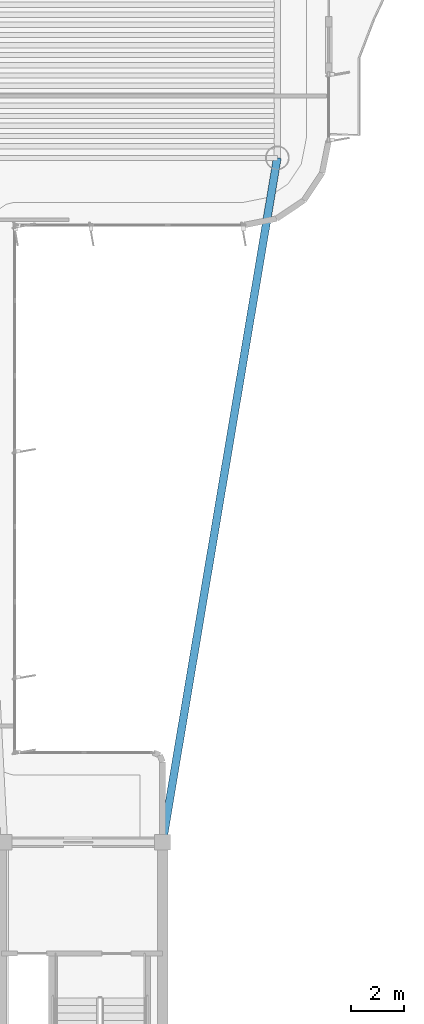
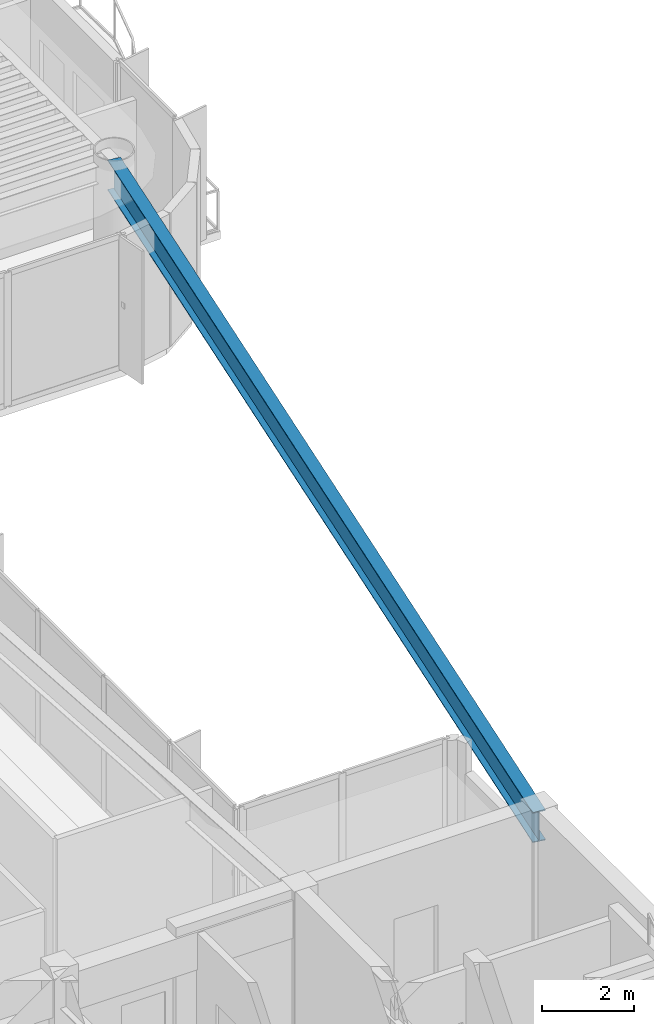
# One storey, part 4 of 15: 1 beam.
"""IFC4 building model written with IfcOpenShell, lengths in metres."""

from ifc_helpers import new_model, si_unit, direction, frame, origin, origin_2d, place, context, subcontext, project, spatial, i_section, extrude, source, transform, mapped, material, material_profile, profile_set, type_object, element, save


model = new_model("IFC4")

# Units and contexts
model_context = context("Model", 3, precision=1e-05, world=origin(), true_north=direction((0.0, 1.0)))
body_context = subcontext(model_context, "Body", "Model", "MODEL_VIEW")
ifc_project = project(units=[si_unit("LENGTHUNIT", "METRE"), si_unit("AREAUNIT", "SQUARE_METRE"), si_unit("VOLUMEUNIT", "CUBIC_METRE"), si_unit("PLANEANGLEUNIT", "RADIAN"), si_unit("MASSUNIT", "GRAM", prefix="KILO")], contexts=[model_context])

# Site, building, storey
site_placement = place(None, origin())
site = spatial("IfcSite", under=ifc_project, at=site_placement, CompositionType="ELEMENT")
building_placement = place(site_placement, origin())
building = spatial("IfcBuilding", under=site, at=building_placement, Name="Brelvock Crest Care Tower", CompositionType="ELEMENT")
storey_placement = place(building_placement, frame((0.0, 0.0, 264.60009765625)))
storey = spatial("IfcBuildingStorey", under=building, at=storey_placement, Name="L67", CompositionType="ELEMENT", Elevation=264.60009765625)

# Beam
ifc_material = material(Name="Steel Grade 350", Category="steel")
ifc_material_profile = material_profile(ifc_material, i_section(OverallWidth=0.300048828125, OverallDepth=0.800048828125, WebThickness=0.013916015625, FlangeThickness=0.02197265625, at=origin_2d()), Name="800WB192")
ifc_profile_set = profile_set([ifc_material_profile], Name="Steel Grade 350")
beam_type = type_object("IfcBeamType", Name="BM-G5", PredefinedType="BEAM", material=ifc_profile_set)
shared_shape = source(origin(), body_context, "Body", "SweptSolid", [
    extrude(i_section(OverallWidth=0.300048828125, OverallDepth=0.800048828125, WebThickness=0.013916015625, FlangeThickness=0.02197265625, at=origin_2d()), origin(), (0.0, 0.0, 1.0), 26.31201171875),
])
beam_placement = place(storey_placement, frame((48.0, 18.0, 3.1298828125), z_axis=(0.165327282709, 0.986238758918, 0.0), x_axis=(-0.986238758918, 0.165327282709, 0.0)))
element("IfcBeam", 1, at=beam_placement, inside=storey, type_object=beam_type, Name="BM-THRO-E-L67", PredefinedType="BEAM", context=body_context, shape_type="MappedRepresentation", body=[
    mapped(shared_shape, transform((0.0, 0.0, 0.0), x_axis=(1.0, 0.0, 0.0), y_axis=(0.0, 1.0, 0.0), z_axis=(0.0, 0.0, 1.0), scale=1.0)),
])

save(model, "model.ifc")
